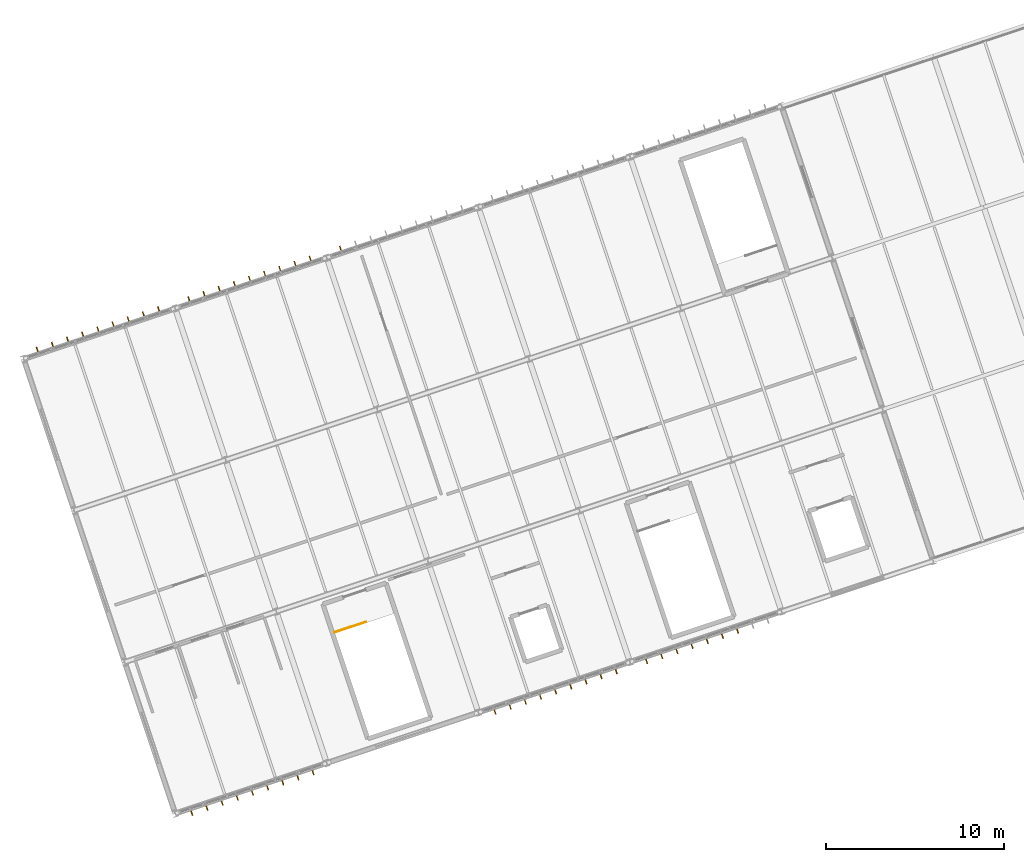
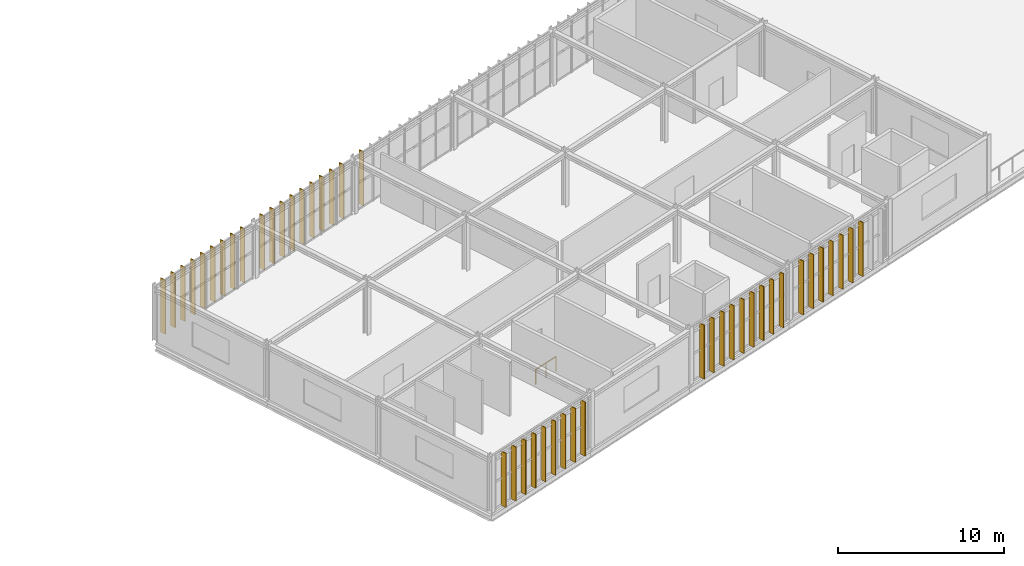
# One storey, part 55 of 61: 44 shading devices, 1 railing.
"""IFC4 building model written with IfcOpenShell, lengths in metres."""

from ifc_helpers import new_model, si_unit, derived_unit, direction, frame, origin, origin_2d, place, context, subcontext, project, spatial, rectangle, circle, extrude, material, layer, layer_set, type_object, element, save


model = new_model("IFC4")

# Units and contexts
model_context = context("Model", 3, precision=1e-05, world=origin(), true_north=direction((0.0, 1.0)))
body_context = subcontext(model_context, "Body", "Model", "MODEL_VIEW")
ifc_project = project(units=[si_unit("LENGTHUNIT", "METRE"), si_unit("AREAUNIT", "SQUARE_METRE"), si_unit("VOLUMEUNIT", "CUBIC_METRE"), si_unit("PLANEANGLEUNIT", "RADIAN"), si_unit("MASSUNIT", "GRAM", prefix="KILO"), si_unit("THERMODYNAMICTEMPERATUREUNIT", "KELVIN"), si_unit("TIMEUNIT", "SECOND"), derived_unit("THERMALTRANSMITTANCEUNIT", [(si_unit("MASSUNIT", "GRAM", prefix="KILO"), 1), (si_unit("THERMODYNAMICTEMPERATUREUNIT", "KELVIN"), -1), (si_unit("TIMEUNIT", "SECOND"), -3)])], contexts=[model_context])

# Site, building, storey
site_placement = place(None, origin())
site = spatial("IfcSite", under=ifc_project, at=site_placement, CompositionType="ELEMENT")
building_placement = place(site_placement, origin())
building = spatial("IfcBuilding", under=site, at=building_placement, Name="Cambertide Market Hall", CompositionType="ELEMENT")
storey_placement = place(building_placement, frame((0.0, 0.0, 9.89990234375)))
storey = spatial("IfcBuildingStorey", under=building, at=storey_placement, Name="L03", CompositionType="ELEMENT", Elevation=9.89990234375)

# Railing
ifc_material_1 = material(Name="Stainless Steel Grade 316", Category="metal")
railing_type = type_object("IfcRailingType", Name="Stairwell Inner Guardrail 1100", PredefinedType="GUARDRAIL", material=ifc_material_1)
railing_placement = place(storey_placement, frame((114.98095703125, 22.214111328125, 0.0)))
element("IfcRailing", 1, at=railing_placement, inside=storey, type_object=railing_type, Name="Level 3 ST-05A top well guard 1", PredefinedType="GUARDRAIL", context=body_context, shape_type="SweptSolid", body=[
    extrude(circle(Radius=0.02392578125, at=origin_2d()), frame((0.0, 0.0, 1.076171875), z_axis=(0.948683298051, 0.316227766017, 0.0), x_axis=(-0.316227766017, 0.948683298051, 0.0)), (0.0, 0.0, 1.0), 1.849853515625),
    extrude(circle(Radius=0.02099609375, at=origin_2d()), origin(), (0.0, 0.0, 1.0), 1.052001953125),
    extrude(circle(Radius=0.02099609375, at=origin_2d()), frame((0.87744140625, 0.29248046875, 0.0)), (0.0, 0.0, 1.0), 1.052001953125),
    extrude(circle(Radius=0.02099609375, at=origin_2d()), frame((1.7548828125, 0.5849609375, 0.0)), (0.0, 0.0, 1.0), 1.052001953125),
])

# Shading devices
ifc_material_2 = material(Name="Champagne Marine Anodized Aluminium 6063-T6 AA25", Category="aluminium")
ifc_layer = layer(ifc_material_2, 0.054931640625, Name="Wing Facade Vertical Sun Fin 380x55")
ifc_layer_set = layer_set([ifc_layer], Name="Champagne Marine Anodized Aluminium 6063-T6 AA25")
shading_device_type = type_object("IfcShadingDeviceType", Name="Wing Facade Vertical Sun Fin 380x55", PredefinedType="JALOUSIE", material=ifc_layer_set)
for number, where, z_axis, x_axis, name in (
    (2, (98.249267578125, 38.098388671875, 0.0), (0.0, 0.0, 1.0), (0.948683321523, 0.316227695598, 0.0), "CW-V3N-L03-1 Vertical Fin 1"),
    (3, (99.10302734375, 38.3828125, 0.0), (0.0, 0.0, 1.0), (0.948683321523, 0.316227695598, 0.0), "CW-V3N-L03-1 Vertical Fin 2"),
    (4, (99.956787109375, 38.66748046875, 0.0), (0.0, 0.0, 1.0), (0.948683321523, 0.316227695598, 0.0), "CW-V3N-L03-1 Vertical Fin 3"),
    (5, (100.810791015625, 38.9521484375, 0.0), (0.0, 0.0, 1.0), (0.948683321523, 0.316227695598, 0.0), "CW-V3N-L03-1 Vertical Fin 4"),
    (6, (101.66455078125, 39.23681640625, 0.0), (0.0, 0.0, 1.0), (0.948683321523, 0.316227695598, 0.0), "CW-V3N-L03-1 Vertical Fin 5"),
    (7, (102.518310546875, 39.521240234375, 0.0), (0.0, 0.0, 1.0), (0.948683321523, 0.316227695598, 0.0), "CW-V3N-L03-1 Vertical Fin 6"),
    (8, (103.3720703125, 39.805908203125, 0.0), (0.0, 0.0, 1.0), (0.948683321523, 0.316227695598, 0.0), "CW-V3N-L03-1 Vertical Fin 7"),
    (9, (104.22607421875, 40.090576171875, 0.0), (0.0, 0.0, 1.0), (0.948683321523, 0.316227695598, 0.0), "CW-V3N-L03-1 Vertical Fin 8"),
    (10, (105.079833984375, 40.375, 0.0), (0.0, 0.0, 1.0), (0.948683321523, 0.316227695598, 0.0), "CW-V3N-L03-1 Vertical Fin 9"),
    (11, (113.750732421875, 14.3623046875, 0.0), (0.0, 0.0, 1.0), (-0.948683321523, -0.316227695598, 0.0), "CW-V3S-L03-1 Vertical Fin 1"),
    (12, (112.89697265625, 14.07763671875, 0.0), (0.0, 0.0, 1.0), (-0.948683321523, -0.316227695598, 0.0), "CW-V3S-L03-1 Vertical Fin 2"),
    (13, (112.043212890625, 13.79296875, 0.0), (0.0, 0.0, 1.0), (-0.948683321523, -0.316227695598, 0.0), "CW-V3S-L03-1 Vertical Fin 3"),
    (14, (111.189208984375, 13.50830078125, 0.0), (0.0, 0.0, 1.0), (-0.948683321523, -0.316227695598, 0.0), "CW-V3S-L03-1 Vertical Fin 4"),
    (15, (110.33544921875, 13.223876953125, 0.0), (0.0, 0.0, 1.0), (-0.948683321523, -0.316227695598, 0.0), "CW-V3S-L03-1 Vertical Fin 5"),
    (16, (109.481689453125, 12.939208984375, 0.0), (0.0, 0.0, 1.0), (-0.948683321523, -0.316227695598, 0.0), "CW-V3S-L03-1 Vertical Fin 6"),
    (17, (108.6279296875, 12.654541015625, 0.0), (0.0, 0.0, 1.0), (-0.948683321523, -0.316227695598, 0.0), "CW-V3S-L03-1 Vertical Fin 7"),
    (18, (107.77392578125, 12.369873046875, 0.0), (0.0, 0.0, 1.0), (-0.948683321523, -0.316227695598, 0.0), "CW-V3S-L03-1 Vertical Fin 8"),
    (19, (106.920166015625, 12.08544921875, 0.0), (0.0, 0.0, 1.0), (-0.948683321523, -0.316227695598, 0.0), "CW-V3S-L03-1 Vertical Fin 9"),
    (20, (106.787353515625, 40.9443359375, 0.0), (0.0, 0.0, 1.0), (0.948683321523, 0.316227695598, 0.0), "CW-V3N-L03-2 Vertical Fin 1"),
    (21, (107.64111328125, 41.22900390625, 0.0), (0.0, 0.0, 1.0), (0.948683321523, 0.316227695598, 0.0), "CW-V3N-L03-2 Vertical Fin 2"),
    (22, (108.4951171875, 41.513427734375, 0.0), (0.0, 0.0, 1.0), (0.948683321523, 0.316227695598, 0.0), "CW-V3N-L03-2 Vertical Fin 3"),
    (23, (109.348876953125, 41.798095703125, 0.0), (0.0, 0.0, 1.0), (0.948683321523, 0.316227695598, 0.0), "CW-V3N-L03-2 Vertical Fin 4"),
    (24, (110.20263671875, 42.082763671875, 0.0), (0.0, 0.0, 1.0), (0.948683321523, 0.316227695598, 0.0), "CW-V3N-L03-2 Vertical Fin 5"),
    (25, (111.056396484375, 42.367431640625, 0.0), (0.0, 0.0, 1.0), (0.948683321523, 0.316227695598, 0.0), "CW-V3N-L03-2 Vertical Fin 6"),
    (26, (111.910400390625, 42.65185546875, 0.0), (0.0, 0.0, 1.0), (0.948683321523, 0.316227695598, 0.0), "CW-V3N-L03-2 Vertical Fin 7"),
    (27, (112.76416015625, 42.9365234375, 0.0), (0.0, 0.0, 1.0), (0.948683321523, 0.316227695598, 0.0), "CW-V3N-L03-2 Vertical Fin 8"),
    (28, (113.617919921875, 43.22119140625, 0.0), (0.0, 0.0, 1.0), (0.948683321523, 0.316227695598, 0.0), "CW-V3N-L03-2 Vertical Fin 9"),
    (29, (115.325439453125, 43.790283203125, 0.0), (0.0, 0.0, 1.0), (0.948683274577, 0.316227836438, 0.0), "CW-V3N-L03-3 Vertical Fin 1"),
    (30, (130.8271484375, 20.05419921875, 0.0), (0.0, 0.0, 1.0), (-0.948683286311, -0.316227801236, 0.0), "CW-V3S-L03-3 Vertical Fin 1"),
    (31, (129.97314453125, 19.769775390625, 0.0), (0.0, 0.0, 1.0), (-0.948683286311, -0.316227801236, 0.0), "CW-V3S-L03-3 Vertical Fin 2"),
    (32, (129.119384765625, 19.485107421875, 0.0), (0.0, 0.0, 1.0), (-0.948683286311, -0.316227801236, 0.0), "CW-V3S-L03-3 Vertical Fin 3"),
    (33, (128.265625, 19.200439453125, 0.0), (0.0, 0.0, 1.0), (-0.948683286311, -0.316227801236, 0.0), "CW-V3S-L03-3 Vertical Fin 4"),
    (34, (127.411865234375, 18.916015625, 0.0), (0.0, 0.0, 1.0), (-0.948683286311, -0.316227801236, 0.0), "CW-V3S-L03-3 Vertical Fin 5"),
    (35, (126.557861328125, 18.63134765625, 0.0), (0.0, 0.0, 1.0), (-0.948683286311, -0.316227801236, 0.0), "CW-V3S-L03-3 Vertical Fin 6"),
    (36, (125.7041015625, 18.3466796875, 0.0), (0.0, 0.0, 1.0), (-0.948683286311, -0.316227801236, 0.0), "CW-V3S-L03-3 Vertical Fin 7"),
    (37, (124.850341796875, 18.06201171875, 0.0), (0.0, 0.0, 1.0), (-0.948683286311, -0.316227801236, 0.0), "CW-V3S-L03-3 Vertical Fin 8"),
    (38, (123.99658203125, 17.777587890625, 0.0), (0.0, 0.0, 1.0), (-0.948683286311, -0.316227801236, 0.0), "CW-V3S-L03-3 Vertical Fin 9"),
    (39, (137.657470703125, 22.3310546875, 0.0), (0.0, 0.0, 1.0), (-0.948683286311, -0.316227801236, 0.0), "CW-V3S-L03-4 Vertical Fin 3"),
    (40, (136.8037109375, 22.046630859375, 0.0), (0.0, 0.0, 1.0), (-0.948683286311, -0.316227801236, 0.0), "CW-V3S-L03-4 Vertical Fin 4"),
    (41, (135.949951171875, 21.761962890625, 0.0), (0.0, 0.0, 1.0), (-0.948683286311, -0.316227801236, 0.0), "CW-V3S-L03-4 Vertical Fin 5"),
    (42, (135.09619140625, 21.477294921875, 0.0), (0.0, 0.0, 1.0), (-0.948683286311, -0.316227801236, 0.0), "CW-V3S-L03-4 Vertical Fin 6"),
    (43, (134.2421875, 21.192626953125, 0.0), (0.0, 0.0, 1.0), (-0.948683286311, -0.316227801236, 0.0), "CW-V3S-L03-4 Vertical Fin 7"),
    (44, (133.388427734375, 20.908203125, 0.0), (0.0, 0.0, 1.0), (-0.948683286311, -0.316227801236, 0.0), "CW-V3S-L03-4 Vertical Fin 8"),
    (45, (132.53466796875, 20.62353515625, 0.0), (0.0, 0.0, 1.0), (-0.948683286311, -0.316227801236, 0.0), "CW-V3S-L03-4 Vertical Fin 9"),
):
    element("IfcShadingDevice", number, at=place(storey_placement, frame(where, z_axis=z_axis, x_axis=x_axis)), inside=storey, type_object=shading_device_type, Name=name, PredefinedType="JALOUSIE", context=body_context, shape_type="SweptSolid", body=[
        extrude(rectangle(XDim=0.054931640625, YDim=0.3798828125, at=origin_2d()), origin(), (0.0, 0.0, 1.0), 3.97998046875),
    ])

save(model, "model.ifc")
